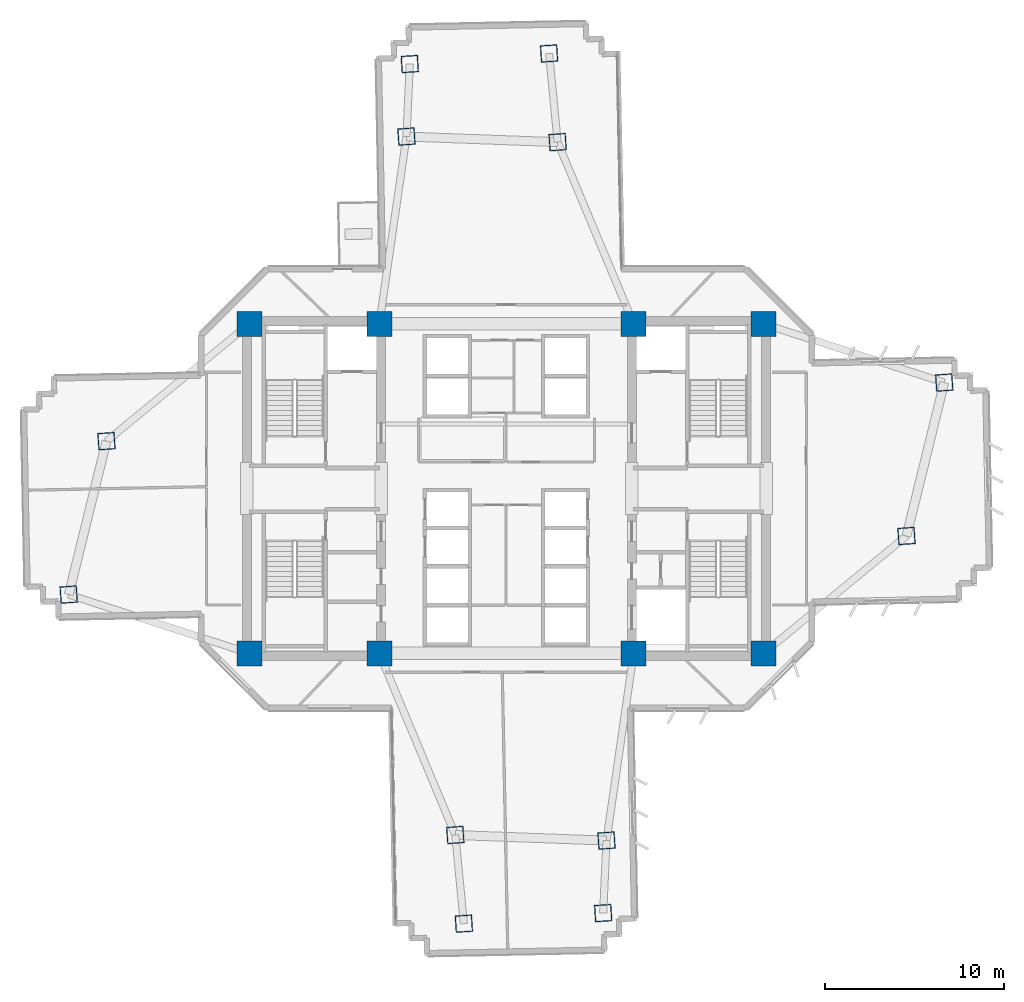
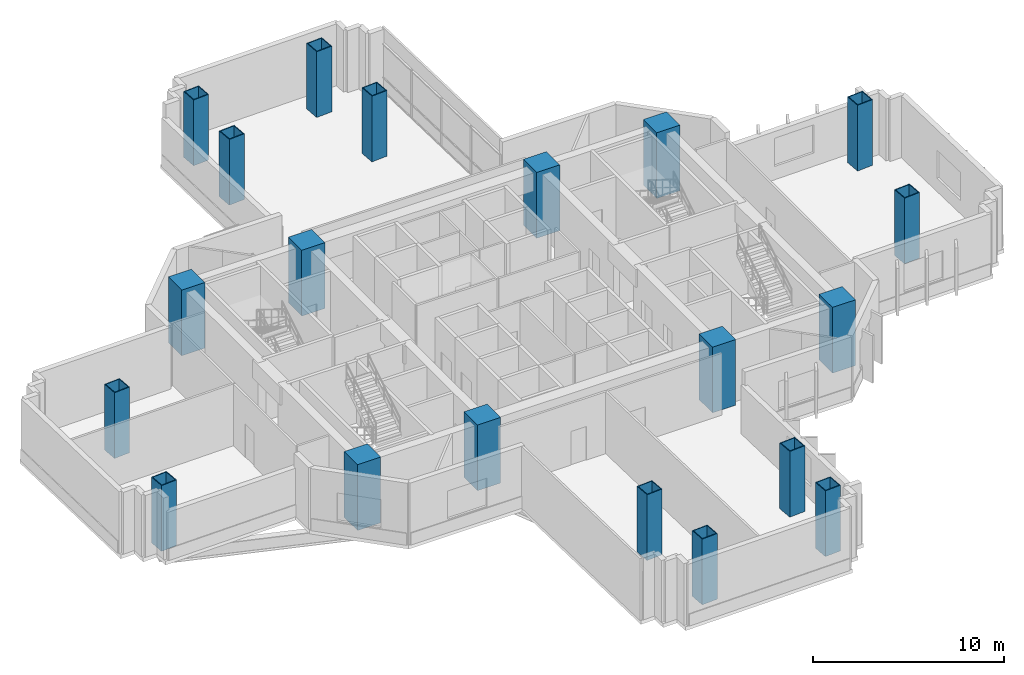
# One storey, part 1 of 15: 20 columns.
"""IFC4 building model written with IfcOpenShell, lengths in metres."""

from ifc_helpers import new_model, si_unit, direction, frame, origin, origin_2d, place, context, subcontext, project, spatial, rectangle, hollow_rectangle, extrude, source, transform, mapped, material, material_profile, profile_set, type_object, element, save


model = new_model("IFC4")

# Units and contexts
model_context = context("Model", 3, precision=1e-05, world=origin(), true_north=direction((0.0, 1.0)))
body_context = subcontext(model_context, "Body", "Model", "MODEL_VIEW")
ifc_project = project(units=[si_unit("LENGTHUNIT", "METRE"), si_unit("AREAUNIT", "SQUARE_METRE"), si_unit("VOLUMEUNIT", "CUBIC_METRE"), si_unit("PLANEANGLEUNIT", "RADIAN"), si_unit("MASSUNIT", "GRAM", prefix="KILO")], contexts=[model_context])

# Site, building, storey
site_placement = place(None, origin())
site = spatial("IfcSite", under=ifc_project, at=site_placement, CompositionType="ELEMENT")
building_placement = place(site_placement, origin())
building = spatial("IfcBuilding", under=site, at=building_placement, Name="Zahravan Cultural Tower", CompositionType="ELEMENT")
storey_placement = place(building_placement, frame((0.0, 0.0, 45.89990234375)))
storey = spatial("IfcBuildingStorey", under=building, at=storey_placement, Name="L09", CompositionType="ELEMENT", Elevation=45.89990234375)

# Columns
ifc_material_1 = material(Name="Concrete C60/75", Category="concrete")
ifc_material_profile_1 = material_profile(ifc_material_1, rectangle(XDim=1.39990234375, YDim=1.39990234375, at=origin_2d()), Name="RC1400X1400")
ifc_profile_set_1 = profile_set([ifc_material_profile_1], Name="Concrete C60/75")
column_type_1 = type_object("IfcColumnType", Name="COL-RC1400", PredefinedType="COLUMN", material=ifc_profile_set_1)
shared_shape_1 = source(origin(), body_context, "Body", "SweptSolid", [
    extrude(rectangle(XDim=1.39990234375, YDim=1.39990234375, at=origin_2d()), origin(), (0.0, 0.0, 1.0), 4.2001953125),
])
for number, where, z_axis, x_axis, name in (
    (1, (21.64990234375, 17.800048828125, 0.0), (0.0, 0.0, 1.0), (1.0, 0.0, 0.0), "L09 Column CC-W1"),
    (2, (28.89990234375, 17.800048828125, 0.0), (0.0, 0.0, 1.0), (1.0, 0.0, 0.0), "L09 Column CC-W2"),
    (3, (21.64990234375, 36.199951171875, 0.0), (0.0, 0.0, 1.0), (1.0, 0.0, 0.0), "L09 Column CC-W3"),
    (4, (28.89990234375, 36.199951171875, 0.0), (0.0, 0.0, 1.0), (1.0, 0.0, 0.0), "L09 Column CC-W4"),
    (5, (43.10009765625, 17.800048828125, 0.0), (0.0, 0.0, 1.0), (1.0, 0.0, 0.0), "L09 Column CC-E1"),
    (6, (50.35009765625, 17.800048828125, 0.0), (0.0, 0.0, 1.0), (1.0, 0.0, 0.0), "L09 Column CC-E2"),
    (7, (43.10009765625, 36.199951171875, 0.0), (0.0, 0.0, 1.0), (1.0, 0.0, 0.0), "L09 Column CC-E3"),
    (8, (50.35009765625, 36.199951171875, 0.0), (0.0, 0.0, 1.0), (1.0, 0.0, 0.0), "L09 Column CC-E4"),
):
    element("IfcColumn", number, at=place(storey_placement, frame(where, z_axis=z_axis, x_axis=x_axis)), inside=storey, type_object=column_type_1, Name=name, PredefinedType="COLUMN", context=body_context, shape_type="MappedRepresentation", body=[
        mapped(shared_shape_1, transform((0.0, 0.0, 0.0), x_axis=(1.0, 0.0, 0.0), y_axis=(0.0, 1.0, 0.0), z_axis=(0.0, 0.0, 1.0), scale=1.0)),
    ])
ifc_material_2 = material(Name="Steel ASTM A572 Grade 50", Category="steel")
ifc_material_profile_2 = material_profile(ifc_material_2, hollow_rectangle(XDim=0.949951171875, YDim=0.949951171875, WallThickness=0.050048828125, at=origin_2d()), Name="BOX950X950X50")
ifc_profile_set_2 = profile_set([ifc_material_profile_2], Name="Steel ASTM A572 Grade 50")
column_type_2 = type_object("IfcColumnType", Name="COL-BOX950", PredefinedType="COLUMN", material=ifc_profile_set_2)
shared_shape_2 = source(origin(), body_context, "Body", "SweptSolid", [
    extrude(hollow_rectangle(XDim=0.949951171875, YDim=0.949951171875, WallThickness=0.050048828125, at=origin_2d()), origin(), (0.0, 0.0, 1.0), 4.2001953125),
])
for number, where, z_axis, x_axis, name in (
    (9, (58.339111328125, 24.351806640625, 0.0), (0.0, 0.0, 1.0), (0.99756405026, 0.069756473744, 0.0), "L09 Column Z1C-E1"),
    (10, (60.446533203125, 32.919677734375, 0.0), (0.0, 0.0, 1.0), (0.99756405026, 0.069756473744, 0.0), "L09 Column Z1C-E2"),
    (11, (38.857421875, 46.346435546875, 0.0), (0.0, 0.0, 1.0), (-0.069756473744, 0.99756405026, 0.0), "L09 Column Z1C-N1"),
    (12, (30.4150390625, 46.658203125, 0.0), (0.0, 0.0, 1.0), (-0.069756473744, 0.99756405026, 0.0), "L09 Column Z1C-N2"),
    (13, (13.660888671875, 29.648193359375, 0.0), (0.0, 0.0, 1.0), (0.99756405026, 0.069756473744, 0.0), "L09 Column Z1C-W1"),
    (14, (11.553466796875, 21.080322265625, 0.0), (0.0, 0.0, 1.0), (0.99756405026, 0.069756473744, 0.0), "L09 Column Z1C-W2"),
    (15, (33.142578125, 7.653564453125, 0.0), (0.0, 0.0, 1.0), (-0.069756473744, 0.99756405026, 0.0), "L09 Column Z1C-S1"),
    (16, (41.5849609375, 7.341796875, 0.0), (0.0, 0.0, 1.0), (-0.069756473744, 0.99756405026, 0.0), "L09 Column Z1C-S2"),
    (17, (38.379150390625, 51.29736328125, 0.0), (0.0, 0.0, 1.0), (-0.062790519529, 0.998026728428, 0.0), "L09 Column Z1T-N1"),
    (18, (30.6005859375, 50.707763671875, 0.0), (0.0, 0.0, 1.0), (-0.062790519529, 0.998026728428, 0.0), "L09 Column Z1T-N2"),
    (19, (33.620849609375, 2.70263671875, 0.0), (0.0, 0.0, 1.0), (-0.062790519529, 0.998026728428, 0.0), "L09 Column Z1T-S1"),
    (20, (41.3994140625, 3.292236328125, 0.0), (0.0, 0.0, 1.0), (-0.062790519529, 0.998026728428, 0.0), "L09 Column Z1T-S2"),
):
    element("IfcColumn", number, at=place(storey_placement, frame(where, z_axis=z_axis, x_axis=x_axis)), inside=storey, type_object=column_type_2, Name=name, PredefinedType="COLUMN", context=body_context, shape_type="MappedRepresentation", body=[
        mapped(shared_shape_2, transform((0.0, 0.0, 0.0), x_axis=(1.0, 0.0, 0.0), y_axis=(0.0, 1.0, 0.0), z_axis=(0.0, 0.0, 1.0), scale=1.0)),
    ])

save(model, "model.ifc")
